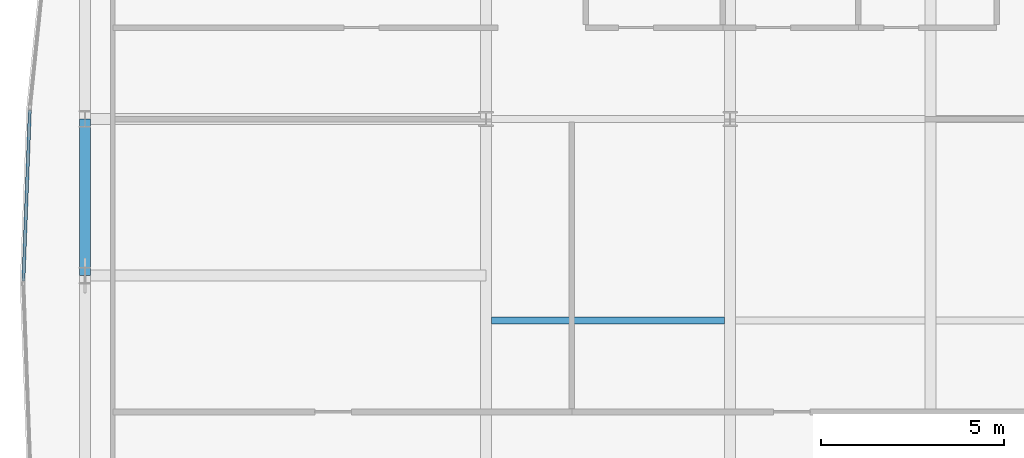
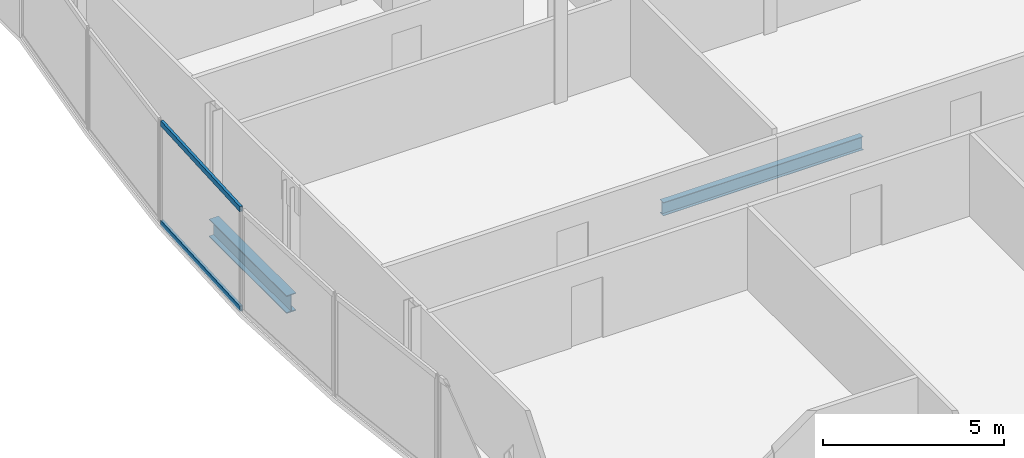
# One storey, part 11 of 32: 2 beams, 2 members, 1 element without a shape of its own.
"""IFC4 building model written with IfcOpenShell, lengths in metres."""

from ifc_helpers import new_model, si_unit, direction, frame, origin, origin_2d, place, context, subcontext, project, spatial, hollow_rectangle, i_section, extrude, material, material_profile, profile_set, type_object, element, aggregate, save


model = new_model("IFC4")

# Units and contexts
model_context = context("Model", 3, precision=1e-05, world=origin(), true_north=direction((0.0, 1.0)))
body_context = subcontext(model_context, "Body", "Model", "MODEL_VIEW")
ifc_project = project(units=[si_unit("LENGTHUNIT", "METRE"), si_unit("AREAUNIT", "SQUARE_METRE"), si_unit("VOLUMEUNIT", "CUBIC_METRE"), si_unit("PLANEANGLEUNIT", "RADIAN"), si_unit("MASSUNIT", "GRAM", prefix="KILO")], contexts=[model_context])

# Site, building, storey
site_placement = place(None, origin())
site = spatial("IfcSite", under=ifc_project, at=site_placement, CompositionType="ELEMENT")
building_placement = place(site_placement, origin())
building = spatial("IfcBuilding", under=site, at=building_placement, Name="Khoronbel Lancet Exchange", CompositionType="ELEMENT")
storey_placement = place(building_placement, frame((0.0, 0.0, 228.199951171875)))
storey = spatial("IfcBuildingStorey", under=building, at=storey_placement, Name="L58", CompositionType="ELEMENT", Elevation=228.199951171875)

# Beams
ifc_material_1 = material(Name="Steel S355", Category="steel")
ifc_material_profile_1 = material_profile(ifc_material_1, i_section(OverallWidth=0.18994140625, OverallDepth=0.449951171875, WebThickness=0.009521484375, FlangeThickness=0.0146484375, at=origin_2d()), Name="IPE 450")
ifc_profile_set_1 = profile_set([ifc_material_profile_1], Name="Steel S355")
beam_type_1 = type_object("IfcBeamType", Name="BM-BJ4", PredefinedType="JOIST", material=ifc_profile_set_1)
beam_1_placement = place(storey_placement, frame((18.375, 30.199951171875, -0.385009765625), z_axis=(1.0, 0.0, 0.0), x_axis=(0.0, 1.0, 0.0)))
element("IfcBeam", 1, at=beam_1_placement, inside=storey, type_object=beam_type_1, Name="Level L58 secondary composite joist J11", PredefinedType="JOIST", context=body_context, shape_type="SweptSolid", body=[
    extrude(i_section(OverallWidth=0.18994140625, OverallDepth=0.449951171875, WebThickness=0.009521484375, FlangeThickness=0.0146484375, at=origin_2d()), origin(), (0.0, 0.0, 1.0), 6.375),
])
ifc_material_profile_2 = material_profile(ifc_material_1, i_section(OverallWidth=0.300048828125, OverallDepth=0.60009765625, WebThickness=0.015380859375, FlangeThickness=0.030029296875, at=origin_2d()), Name="HEB 600")
ifc_profile_set_2 = profile_set([ifc_material_profile_2], Name="Steel S355")
beam_type_2 = type_object("IfcBeamType", Name="BM-BSP2", PredefinedType="SPANDREL", material=ifc_profile_set_2)
beam_2_placement = place(storey_placement, frame((7.27001953125, 35.699951171875, -0.4599609375), z_axis=(0.0, -1.0, 0.0), x_axis=(1.0, 0.0, 0.0)))
element("IfcBeam", 2, at=beam_2_placement, inside=storey, type_object=beam_type_2, Name="Level L58 perimeter spandrel beam SP18", PredefinedType="SPANDREL", context=body_context, shape_type="SweptSolid", body=[
    extrude(i_section(OverallWidth=0.300048828125, OverallDepth=0.60009765625, WebThickness=0.015380859375, FlangeThickness=0.030029296875, at=origin_2d()), origin(), (0.0, 0.0, 1.0), 4.27490234375),
])

# Curtain wall, members
ifc_material_2 = material(Name="Low-E Solar Control Insulating Glass", Category="glass")
curtain_wall_type = type_object("IfcCurtainWallType", Name="CW-4", PredefinedType="NOTDEFINED", material=ifc_material_2)
curtain_wall_placement = place(storey_placement, origin())
curtain_wall = element("IfcCurtainWall", 3, at=curtain_wall_placement, inside=storey, type_object=curtain_wall_type, Name="Unitised curtain wall CW-L58-E07", PredefinedType="NOTDEFINED")
ifc_material_3 = material(Name="Bronze-Anodised Aluminium 6063-T6", Category="aluminium")
ifc_material_profile_3 = material_profile(ifc_material_3, hollow_rectangle(XDim=0.0849609375, YDim=0.179931640625, WallThickness=0.0048828125, at=origin_2d()), Name="ALU TRANSOM 85x180")
ifc_profile_set_3 = profile_set([ifc_material_profile_3], Name="Bronze-Anodised Aluminium 6063-T6")
member_type = type_object("IfcMemberType", Name="MEM-CWT1", PredefinedType="USERDEFINED", material=ifc_profile_set_3)
member_1_placement = place(storey_placement, frame((5.58740234375, 31.27490234375, 0.04248046875), z_axis=(0.037555698187, 0.999294535927, 0.0), x_axis=(-0.999294535927, 0.037555698187, 0.0)))
member_1 = element("IfcMember", 4, at=member_1_placement, type_object=member_type, Name="CW4 transom 1.1", ObjectType="TRANSOM", PredefinedType="USERDEFINED", context=body_context, shape_type="SweptSolid", body=[
    extrude(hollow_rectangle(XDim=0.0849609375, YDim=0.179931640625, WallThickness=0.0048828125, at=origin_2d()), origin(), (0.0, 0.0, 1.0), 4.6806640625),
])
member_2_placement = place(storey_placement, frame((5.58740234375, 31.27490234375, 3.3974609375), z_axis=(0.037555698187, 0.999294535927, 0.0), x_axis=(-0.999294535927, 0.037555698187, 0.0)))
member_2 = element("IfcMember", 5, at=member_2_placement, type_object=member_type, Name="CW4 transom 1.2", ObjectType="TRANSOM", PredefinedType="USERDEFINED", context=body_context, shape_type="SweptSolid", body=[
    extrude(hollow_rectangle(XDim=0.0849609375, YDim=0.179931640625, WallThickness=0.0048828125, at=origin_2d()), origin(), (0.0, 0.0, 1.0), 4.6806640625),
])
aggregate(curtain_wall, [member_1, member_2])

save(model, "model.ifc")
